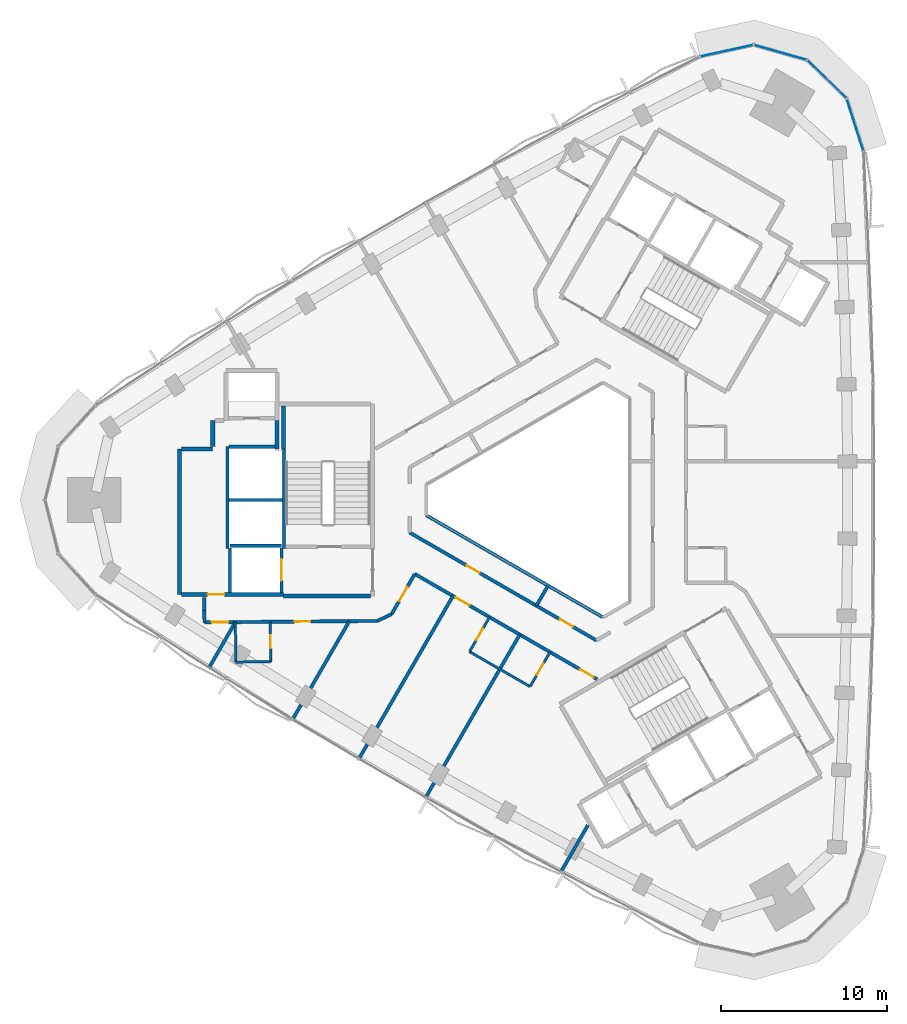
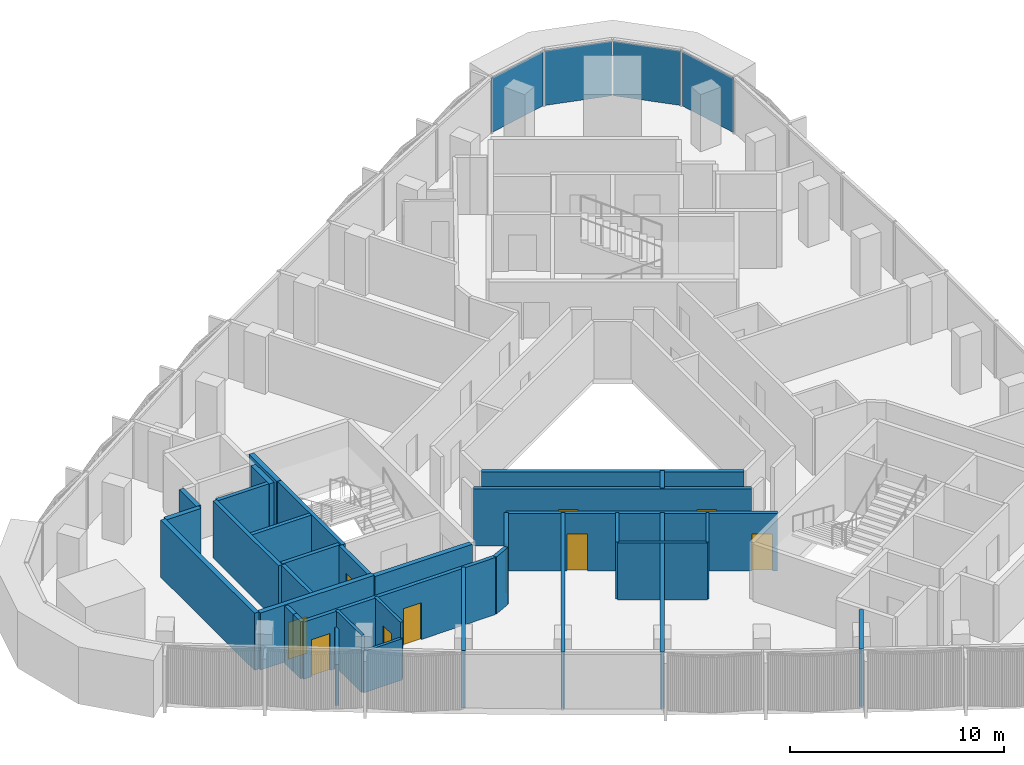
# One storey, part 7 of 13: 34 walls, 12 doors, 4 plates, 12 openings, 1 element without a shape of its own.
"""IFC4 building model written with IfcOpenShell, lengths in metres."""

from ifc_helpers import new_model, si_unit, direction, frame, frame_2d, origin, origin_2d, place, context, subcontext, project, spatial, rectangle, extrude, material, layer, layer_set, type_object, element, fill, aggregate, save


model = new_model("IFC4")

# Units and contexts
model_context = context("Model", 3, precision=1e-05, world=origin(), true_north=direction((0.0, 1.0)))
body_context = subcontext(model_context, "Body", "Model", "MODEL_VIEW")
ifc_project = project(units=[si_unit("LENGTHUNIT", "METRE"), si_unit("AREAUNIT", "SQUARE_METRE"), si_unit("VOLUMEUNIT", "CUBIC_METRE"), si_unit("PLANEANGLEUNIT", "RADIAN"), si_unit("MASSUNIT", "GRAM", prefix="KILO")], contexts=[model_context])

# Site, building, storey
site_placement = place(None, origin())
site = spatial("IfcSite", under=ifc_project, at=site_placement, CompositionType="ELEMENT")
building_placement = place(site_placement, origin())
building = spatial("IfcBuilding", under=site, at=building_placement, Name="Tamra Quay Hotel Tower", CompositionType="ELEMENT")
storey_placement = place(building_placement, frame((0.0, 0.0, 182.800048828125)))
storey = spatial("IfcBuildingStorey", under=building, at=storey_placement, Name="L45", CompositionType="ELEMENT", Elevation=182.800048828125)

# Curtain wall, plates
ifc_material_1 = material(Name="Aluminium 6063 anodised dark grey", Category="aluminium")
curtain_wall_type = type_object("IfcCurtainWallType", Name="CW1 CURTAIN WALL", PredefinedType="NOTDEFINED", material=ifc_material_1)
curtain_wall_placement = place(storey_placement, origin())
curtain_wall = element("IfcCurtainWall", 1, at=curtain_wall_placement, inside=storey, type_object=curtain_wall_type, Name="CW1 east face L45", PredefinedType="NOTDEFINED")
ifc_material_2 = material(Name="Glass clear laminated low-iron", Category="glass")
ifc_layer_1 = layer(ifc_material_2, 0.030029296875)
ifc_layer_set_1 = layer_set([ifc_layer_1], Name="GLASS PANEL CW1 Z4")
plate_type = type_object("IfcPlateType", Name="GLASS PANEL CW1 Z4", PredefinedType="CURTAIN_PANEL", material=ifc_layer_set_1)
plate_1_placement = place(storey_placement, frame((18.16064453125, 22.54052734375, 0.0), z_axis=(0.0, 0.0, 1.0), x_axis=(-0.303410479682, 0.952859948166, 0.0)))
plate_1 = element("IfcPlate", 2, at=plate_1_placement, type_object=plate_type, Name="CW1 glass L45.E.10", PredefinedType="CURTAIN_PANEL", context=body_context, shape_type="SweptSolid", body=[
    extrude(rectangle(XDim=3.227783203125, YDim=0.030029296875, at=origin_2d()), origin(), (0.0, 0.0, 1.0), 3.110107421875),
])
plate_2_placement = place(storey_placement, frame((16.461181640625, 25.2841796875, 0.0), z_axis=(0.0, 0.0, 1.0), x_axis=(-0.717974699393, 0.696069199888, 0.0)))
plate_2 = element("IfcPlate", 3, at=plate_2_placement, type_object=plate_type, Name="CW1 glass L45.E.11", PredefinedType="CURTAIN_PANEL", context=body_context, shape_type="SweptSolid", body=[
    extrude(rectangle(XDim=3.227783203125, YDim=0.030029296875, at=origin_2d()), origin(), (0.0, 0.0, 1.0), 3.110107421875),
])
plate_3_placement = place(storey_placement, frame((13.666259765625, 26.897705078125, 0.0), z_axis=(0.0, 0.0, 1.0), x_axis=(-0.961800959591, 0.273749729005, 0.0)))
plate_3 = element("IfcPlate", 4, at=plate_3_placement, type_object=plate_type, Name="CW1 glass L45.E.12", PredefinedType="CURTAIN_PANEL", context=body_context, shape_type="SweptSolid", body=[
    extrude(rectangle(XDim=3.227783203125, YDim=0.030029296875, at=origin_2d()), origin(), (0.0, 0.0, 1.0), 3.110107421875),
])
plate_4_placement = place(storey_placement, frame((10.4404296875, 26.997802734375, 0.0), z_axis=(0.0, 0.0, 1.0), x_axis=(-0.976906161202, -0.213668790904, 0.0)))
plate_4 = element("IfcPlate", 5, at=plate_4_placement, type_object=plate_type, Name="CW1 glass L45.E.13", PredefinedType="CURTAIN_PANEL", context=body_context, shape_type="SweptSolid", body=[
    extrude(rectangle(XDim=3.227783203125, YDim=0.030029296875, at=origin_2d()), origin(), (0.0, 0.0, 1.0), 3.110107421875),
])
aggregate(curtain_wall, [plate_1, plate_2, plate_3, plate_4])

# Walls
ifc_material_3 = material(Name="Concrete M70", Category="concrete")
ifc_layer_2 = layer(ifc_material_3, 0.199951171875)
ifc_layer_set_2 = layer_set([ifc_layer_2], Name="Concrete M70 core wall 200")
wall_type_1 = type_object("IfcWallType", Name="Concrete M70 core wall 200", PredefinedType="SHEAR", material=ifc_layer_set_2)
wall_1_placement = place(storey_placement, frame((-16.162109375, 3.073974609375, 0.0), z_axis=(0.0, 0.0, 1.0), x_axis=(0.0, -1.0, 0.0)))
element("IfcWall", 6, at=wall_1_placement, inside=storey, type_object=wall_type_1, Name="CW2", PredefinedType="SHEAR", context=body_context, shape_type="SweptSolid", body=[
    extrude(rectangle(XDim=5.97412109375, YDim=0.199951171875, at=frame_2d((2.987060546875, 0.0))), origin(), (0.0, 0.0, 1.0), 3.25),
])
wall_2_placement = place(storey_placement, frame((-19.5625, -2.900146484375, 0.0), z_axis=(0.0, 0.0, 1.0), x_axis=(0.0, 1.0, 0.0)))
element("IfcWall", 7, at=wall_2_placement, inside=storey, type_object=wall_type_1, Name="CW2", PredefinedType="SHEAR", context=body_context, shape_type="SweptSolid", body=[
    extrude(rectangle(XDim=6.100341796875, YDim=0.199951171875, at=frame_2d((3.05029296875, 0.0))), origin(), (0.0, 0.0, 1.0), 3.25),
])
wall_3_placement = place(storey_placement, frame((-16.26318359375, 0.0, 0.0), z_axis=(0.0, 0.0, 1.0), x_axis=(-1.0, 0.0, 0.0)))
element("IfcWall", 8, at=wall_3_placement, inside=storey, type_object=wall_type_1, Name="CW2", PredefinedType="SHEAR", context=body_context, shape_type="SweptSolid", body=[
    extrude(rectangle(XDim=3.1982421875, YDim=0.199951171875, at=frame_2d((1.59912109375, 0.0))), origin(), (0.0, 0.0, 1.0), 3.25),
])
wall_4_placement = place(storey_placement, frame((-19.46240234375, 3.2001953125, 0.0), z_axis=(0.0, 0.0, 1.0), x_axis=(1.0, 0.0, 0.0)))
element("IfcWall", 9, at=wall_4_placement, inside=storey, type_object=wall_type_1, Name="CW2", PredefinedType="SHEAR", context=body_context, shape_type="SweptSolid", body=[
    extrude(rectangle(XDim=2.759033203125, YDim=0.199951171875, at=frame_2d((1.37939453125, 0.0))), origin(), (0.0, 0.0, 1.0), 3.25),
])
wall_5_placement = place(storey_placement, frame((-19.412353515625, -2.75, 0.0), z_axis=(0.0, 0.0, 1.0), x_axis=(1.0, 0.0, 0.0)))
element("IfcWall", 10, at=wall_5_placement, inside=storey, type_object=wall_type_1, Name="CW2", PredefinedType="SHEAR", context=body_context, shape_type="SweptSolid", body=[
    extrude(rectangle(XDim=3.10009765625, YDim=0.199951171875, at=frame_2d((1.550048828125, 0.0))), origin(), (0.0, 0.0, 1.0), 3.25),
])

# Wall, opening, door
wall_6_placement = place(storey_placement, frame((-16.312255859375, -2.898193359375, 0.0), z_axis=(0.0, 0.0, 1.0), x_axis=(0.0, -1.0, 0.0)))
wall_6 = element("IfcWall", 11, at=wall_6_placement, inside=storey, type_object=wall_type_1, Name="CW2", PredefinedType="SHEAR", context=body_context, shape_type="SweptSolid", body=[
    extrude(rectangle(XDim=2.65087890625, YDim=0.199951171875, at=frame_2d((1.325439453125, 0.0))), origin(), (0.0, 0.0, 1.0), 3.25),
])
opening_1_placement = place(wall_6_placement, frame((0.65185546875, 0.0, 0.0)))
opening_1 = element("IfcOpeningElement", 12, at=opening_1_placement, cuts=wall_6, Name="Opening LD", PredefinedType="OPENING", context=body_context, shape_type="SweptSolid", body=[
    extrude(rectangle(XDim=1.300048828125, YDim=2.10009765625, at=frame_2d((0.64990234375, 1.050048828125))), frame((0.0, 0.10986328125, 0.0), z_axis=(0.0, -1.0, 0.0), x_axis=(1.0, 0.0, 0.0)), (0.0, 0.0, 1.0), 0.219970703125),
])
ifc_material_4 = material(Name="Landing door LD 1300 sliding to right")
door_type_1 = type_object("IfcDoorType", Name="Landing door LD 1300 sliding to right", OperationType="NOTDEFINED", PredefinedType="DOOR", material=ifc_material_4)
door_1_placement = place(opening_1_placement, origin())
door_1 = element("IfcDoor", 13, at=door_1_placement, inside=storey, type_object=door_type_1, Name="LD", OperationType="SLIDING_TO_RIGHT", OverallHeight=2.10009765625, OverallWidth=1.300048828125, PredefinedType="DOOR", context=body_context, shape_type="SweptSolid", body=[
    extrude(rectangle(XDim=1.300048828125, YDim=2.10009765625, at=frame_2d((0.64990234375, 1.050048828125))), frame((0.0, 0.02490234375, 0.0), z_axis=(0.0, -1.0, 0.0), x_axis=(1.0, 0.0, 0.0)), (0.0, 0.0, 1.0), 0.050048828125),
])
fill(opening_1, door_1)

# Walls
wall_7_placement = place(storey_placement, frame((-19.412353515625, -5.549072265625, 0.0), z_axis=(0.0, 0.0, 1.0), x_axis=(0.0, 1.0, 0.0)))
element("IfcWall", 14, at=wall_7_placement, inside=storey, type_object=wall_type_1, Name="CW2", PredefinedType="SHEAR", context=body_context, shape_type="SweptSolid", body=[
    extrude(rectangle(XDim=2.65087890625, YDim=0.199951171875, at=frame_2d((1.325439453125, 0.0))), origin(), (0.0, 0.0, 1.0), 3.25),
])
ifc_layer_3 = layer(ifc_material_3, 0.25)
ifc_layer_set_3 = layer_set([ifc_layer_3], Name="Concrete M70 core wall 250")
wall_type_2 = type_object("IfcWallType", Name="Concrete M70 core wall 250", PredefinedType="SHEAR", material=ifc_layer_set_3)
wall_8_placement = place(storey_placement, frame((-22.437255859375, -5.675048828125, 0.0), z_axis=(0.0, 0.0, 1.0), x_axis=(0.0, 1.0, 0.0)))
element("IfcWall", 15, at=wall_8_placement, inside=storey, type_object=wall_type_2, Name="CW1", PredefinedType="SHEAR", context=body_context, shape_type="SweptSolid", body=[
    extrude(rectangle(XDim=8.75, YDim=0.25, at=frame_2d((4.375, 0.0))), origin(), (0.0, 0.0, 1.0), 3.25),
])

# Wall, opening, door
wall_9_placement = place(storey_placement, frame((-16.187255859375, -5.675048828125, 0.0), z_axis=(0.0, 0.0, 1.0), x_axis=(-1.0, 0.0, 0.0)))
wall_9 = element("IfcWall", 16, at=wall_9_placement, inside=storey, type_object=wall_type_2, Name="CW1", PredefinedType="SHEAR", context=body_context, shape_type="SweptSolid", body=[
    extrude(rectangle(XDim=6.12451171875, YDim=0.25, at=frame_2d((3.062255859375, 0.0))), origin(), (0.0, 0.0, 1.0), 3.25),
])
opening_2_placement = place(wall_9_placement, frame((3.562744140625, 0.0, 0.0)))
opening_2 = element("IfcOpeningElement", 17, at=opening_2_placement, cuts=wall_9, Name="Opening FD3", PredefinedType="OPENING", context=body_context, shape_type="SweptSolid", body=[
    extrude(rectangle(XDim=1.0, YDim=2.10009765625, at=frame_2d((0.5, 1.050048828125))), frame((0.0, 0.135009765625, 0.0), z_axis=(0.0, -1.0, 0.0), x_axis=(1.0, 0.0, 0.0)), (0.0, 0.0, 1.0), 0.27001953125),
])
ifc_material_5 = material(Name="Core door FD3 1000x2100 LH")
door_type_2 = type_object("IfcDoorType", Name="Core door FD3 1000x2100 LH", OperationType="NOTDEFINED", PredefinedType="DOOR", material=ifc_material_5)
door_2_placement = place(opening_2_placement, origin())
door_2 = element("IfcDoor", 18, at=door_2_placement, inside=storey, type_object=door_type_2, Name="FD3", OperationType="SINGLE_SWING_LEFT", OverallHeight=2.10009765625, OverallWidth=1.0, PredefinedType="DOOR", context=body_context, shape_type="SweptSolid", body=[
    extrude(rectangle(XDim=1.0, YDim=2.10009765625, at=frame_2d((0.5, 1.050048828125))), frame((0.0, 0.02490234375, 0.0), z_axis=(0.0, -1.0, 0.0), x_axis=(1.0, 0.0, 0.0)), (0.0, 0.0, 1.0), 0.050048828125),
])
fill(opening_2, door_2)

# Walls
wall_10_placement = place(storey_placement, frame((-10.962646484375, -5.77490234375, 0.0), z_axis=(0.0, 0.0, 1.0), x_axis=(-1.0, 0.0, 0.0)))
element("IfcWall", 19, at=wall_10_placement, inside=storey, type_object=wall_type_2, Name="CW1", PredefinedType="SHEAR", context=body_context, shape_type="SweptSolid", body=[
    extrude(rectangle(XDim=5.224609375, YDim=0.25, at=frame_2d((2.6123046875, 0.0))), origin(), (0.0, 0.0, 1.0), 3.25),
])
wall_11_placement = place(storey_placement, frame((-16.187255859375, 3.074951171875, 0.0), z_axis=(0.0, 0.0, 1.0), x_axis=(0.0, 1.0, 0.0)))
element("IfcWall", 20, at=wall_11_placement, inside=storey, type_object=wall_type_2, Name="CW1", PredefinedType="SHEAR", context=body_context, shape_type="SweptSolid", body=[
    extrude(rectangle(XDim=2.57470703125, YDim=0.25, at=frame_2d((1.287353515625, 0.0))), origin(), (0.0, 0.0, 1.0), 3.25),
])
wall_12_placement = place(storey_placement, frame((-22.311767578125, 3.074951171875, 0.0), z_axis=(0.0, 0.0, 1.0), x_axis=(1.0, 0.0, 0.0)))
element("IfcWall", 21, at=wall_12_placement, inside=storey, type_object=wall_type_2, Name="CW1", PredefinedType="SHEAR", context=body_context, shape_type="SweptSolid", body=[
    extrude(rectangle(XDim=1.864501953125, YDim=0.25, at=frame_2d((0.93212890625, 0.0))), origin(), (0.0, 0.0, 1.0), 3.25),
])
wall_13_placement = place(storey_placement, frame((-16.577392578125, 4.784912109375, 0.0), z_axis=(0.0, 0.0, 1.0), x_axis=(0.0, -1.0, 0.0)))
element("IfcWall", 22, at=wall_13_placement, inside=storey, type_object=wall_type_2, Name="CW1", PredefinedType="SHEAR", context=body_context, shape_type="SweptSolid", body=[
    extrude(rectangle(XDim=1.7099609375, YDim=0.25, at=frame_2d((0.85498046875, 0.0))), origin(), (0.0, 0.0, 1.0), 3.25),
])
wall_14_placement = place(storey_placement, frame((-20.447265625, 3.200439453125, 0.0), z_axis=(0.0, 0.0, 1.0), x_axis=(0.0, 1.0, 0.0)))
element("IfcWall", 23, at=wall_14_placement, inside=storey, type_object=wall_type_2, Name="CW1", PredefinedType="SHEAR", context=body_context, shape_type="SweptSolid", body=[
    extrude(rectangle(XDim=1.58447265625, YDim=0.25, at=frame_2d((0.792236328125, 0.0))), origin(), (0.0, 0.0, 1.0), 3.25),
])
ifc_material_6 = material(Name="Partition corridor wall")
ifc_layer_4 = layer(ifc_material_6, 0.199951171875)
ifc_layer_set_4 = layer_set([ifc_layer_4], Name="Partition corridor wall")
wall_type_3 = type_object("IfcWallType", Name="Partition corridor wall", PredefinedType="PARTITIONING", material=ifc_layer_set_4)
wall_15_placement = place(storey_placement, frame((-20.949951171875, -6.64990234375, 0.0), z_axis=(0.0, 0.0, 1.0), x_axis=(0.0, 1.0, 0.0)))
element("IfcWall", 24, at=wall_15_placement, inside=storey, type_object=wall_type_3, Name="W-C", PredefinedType="PARTITIONING", context=body_context, shape_type="SweptSolid", body=[
    extrude(rectangle(XDim=0.789794921875, YDim=0.199951171875, at=frame_2d((0.39501953125, 0.0))), origin(), (0.0, 0.0, 1.0), 3.25),
])
wall_16_placement = place(storey_placement, frame((-20.947021484375, -6.653076171875, 0.0), z_axis=(0.0, 0.0, 1.0), x_axis=(0.004173876686, -0.999991289339, 0.0)))
element("IfcWall", 25, at=wall_16_placement, inside=storey, type_object=wall_type_3, Name="W-C", PredefinedType="PARTITIONING", context=body_context, shape_type="SweptSolid", body=[
    extrude(rectangle(XDim=0.701904296875, YDim=0.199951171875, at=frame_2d((0.35107421875, 0.0))), origin(), (0.0, 0.0, 1.0), 3.25),
])

# Wall, openings, doors
wall_17_placement = place(storey_placement, frame((-20.944091796875, -7.35595703125, 0.0), z_axis=(0.0, 0.0, 1.0), x_axis=(0.999963632327, 0.008528424382, 0.0)))
wall_17 = element("IfcWall", 26, at=wall_17_placement, inside=storey, type_object=wall_type_3, Name="W-C", PredefinedType="PARTITIONING", context=body_context, shape_type="SweptSolid", body=[
    extrude(rectangle(XDim=10.3916015625, YDim=0.199951171875, at=frame_2d((5.19580078125, 0.0))), origin(), (0.0, 0.0, 1.0), 3.25),
])
opening_3_placement = place(wall_17_placement, frame((0.4365234375, 0.0, 0.0)))
opening_3 = element("IfcOpeningElement", 27, at=opening_3_placement, cuts=wall_17, Name="Opening L45-D006", PredefinedType="OPENING", context=body_context, shape_type="SweptSolid", body=[
    extrude(rectangle(XDim=1.0, YDim=2.10009765625, at=frame_2d((0.5, 1.050048828125))), frame((0.0, 0.10986328125, 0.0), z_axis=(0.0, -1.0, 0.0), x_axis=(1.0, 0.0, 0.0)), (0.0, 0.0, 1.0), 0.219970703125),
])
opening_4_placement = place(wall_17_placement, frame((5.419189453125, 0.0, 0.0)))
opening_4 = element("IfcOpeningElement", 28, at=opening_4_placement, cuts=wall_17, Name="Opening L45-D007", PredefinedType="OPENING", context=body_context, shape_type="SweptSolid", body=[
    extrude(rectangle(XDim=0.949951171875, YDim=2.10009765625, at=frame_2d((0.47509765625, 1.050048828125))), frame((0.0, 0.10986328125, 0.0), z_axis=(0.0, -1.0, 0.0), x_axis=(1.0, 0.0, 0.0)), (0.0, 0.0, 1.0), 0.219970703125),
])
ifc_material_7 = material(Name="Door guest room 1000x2100")
door_type_3 = type_object("IfcDoorType", Name="Door guest room 1000x2100", OperationType="NOTDEFINED", PredefinedType="DOOR", material=ifc_material_7)
door_3_placement = place(opening_3_placement, origin())
door_3 = element("IfcDoor", 29, at=door_3_placement, inside=storey, type_object=door_type_3, Name="L45-D006", OperationType="SINGLE_SWING_LEFT", OverallHeight=2.10009765625, OverallWidth=1.0, PredefinedType="DOOR", context=body_context, shape_type="SweptSolid", body=[
    extrude(rectangle(XDim=1.0, YDim=2.10009765625, at=frame_2d((0.5, 1.050048828125))), frame((0.0, 0.02490234375, 0.0), z_axis=(0.0, -1.0, 0.0), x_axis=(1.0, 0.0, 0.0)), (0.0, 0.0, 1.0), 0.050048828125),
])
fill(opening_3, door_3)
ifc_material_8 = material(Name="Door guest room 950x2100")
door_type_4 = type_object("IfcDoorType", Name="Door guest room 950x2100", OperationType="NOTDEFINED", PredefinedType="DOOR", material=ifc_material_8)
door_4_placement = place(opening_4_placement, frame((0.949951171875, 0.0, 0.0), z_axis=(0.0, 0.0, 1.0), x_axis=(-1.0, 0.0, 0.0)))
door_4 = element("IfcDoor", 30, at=door_4_placement, inside=storey, type_object=door_type_4, Name="L45-D007", OperationType="SINGLE_SWING_LEFT", OverallHeight=2.10009765625, OverallWidth=0.949951171875, PredefinedType="DOOR", context=body_context, shape_type="SweptSolid", body=[
    extrude(rectangle(XDim=0.949951171875, YDim=2.10009765625, at=frame_2d((0.47509765625, 1.050048828125))), frame((0.0, 0.02490234375, 0.0), z_axis=(0.0, -1.0, 0.0), x_axis=(1.0, 0.0, 0.0)), (0.0, 0.0, 1.0), 0.050048828125),
])
fill(opening_4, door_4)

# Wall
wall_18_placement = place(storey_placement, frame((-10.552001953125, -7.26806640625, 0.0), z_axis=(0.0, 0.0, 1.0), x_axis=(0.904331815333, 0.426830139255, 0.0)))
element("IfcWall", 31, at=wall_18_placement, inside=storey, type_object=wall_type_3, Name="W-C", PredefinedType="PARTITIONING", context=body_context, shape_type="SweptSolid", body=[
    extrude(rectangle(XDim=0.9443359375, YDim=0.199951171875, at=frame_2d((0.47216796875, 0.0))), origin(), (0.0, 0.0, 1.0), 3.25),
])

# Wall, opening, door
wall_19_placement = place(storey_placement, frame((-9.697021484375, -6.864013671875, 0.0), z_axis=(0.0, 0.0, 1.0), x_axis=(0.499843530644, 0.866115722564, 0.0)))
wall_19 = element("IfcWall", 32, at=wall_19_placement, inside=storey, type_object=wall_type_3, Name="W-C", PredefinedType="PARTITIONING", context=body_context, shape_type="SweptSolid", body=[
    extrude(rectangle(XDim=2.79296875, YDim=0.199951171875, at=frame_2d((1.396484375, 0.0))), origin(), (0.0, 0.0, 1.0), 3.25),
])
opening_5_placement = place(wall_19_placement, frame((0.896484375, 0.0, 0.0)))
opening_5 = element("IfcOpeningElement", 33, at=opening_5_placement, cuts=wall_19, Name="Opening L45-D009", PredefinedType="OPENING", context=body_context, shape_type="SweptSolid", body=[
    extrude(rectangle(XDim=1.0, YDim=2.10009765625, at=frame_2d((0.5, 1.050048828125))), frame((0.0, 0.10986328125, 0.0), z_axis=(0.0, -1.0, 0.0), x_axis=(1.0, 0.0, 0.0)), (0.0, 0.0, 1.0), 0.219970703125),
])
door_5_placement = place(opening_5_placement, frame((1.0, 0.0, 0.0), z_axis=(0.0, 0.0, 1.0), x_axis=(-1.0, 0.0, 0.0)))
door_5 = element("IfcDoor", 34, at=door_5_placement, inside=storey, type_object=door_type_3, Name="L45-D009", OperationType="SINGLE_SWING_LEFT", OverallHeight=2.10009765625, OverallWidth=1.0, PredefinedType="DOOR", context=body_context, shape_type="SweptSolid", body=[
    extrude(rectangle(XDim=1.0, YDim=2.10009765625, at=frame_2d((0.5, 1.050048828125))), frame((0.0, 0.02490234375, 0.0), z_axis=(0.0, -1.0, 0.0), x_axis=(1.0, 0.0, 0.0)), (0.0, 0.0, 1.0), 0.050048828125),
])
fill(opening_5, door_5)

# Wall, openings, doors
wall_20_placement = place(storey_placement, frame((-8.612060546875, -1.9560546875, 0.0), z_axis=(0.0, 0.0, 1.0), x_axis=(0.866034386606, -0.499984440973, 0.0)))
wall_20 = element("IfcWall", 35, at=wall_20_placement, inside=storey, type_object=wall_type_3, Name="W-C", PredefinedType="PARTITIONING", context=body_context, shape_type="SweptSolid", body=[
    extrude(rectangle(XDim=12.96044921875, YDim=0.199951171875, at=frame_2d((6.480224609375, 0.0))), origin(), (0.0, 0.0, 1.0), 3.25),
])
opening_6_placement = place(wall_20_placement, frame((3.955078125, 0.0, 0.0)))
opening_6 = element("IfcOpeningElement", 36, at=opening_6_placement, cuts=wall_20, Name="Opening L45-D023", PredefinedType="OPENING", context=body_context, shape_type="SweptSolid", body=[
    extrude(rectangle(XDim=0.89990234375, YDim=2.10009765625, at=frame_2d((0.449951171875, 1.050048828125))), frame((0.0, 0.10986328125, 0.0), z_axis=(0.0, -1.0, 0.0), x_axis=(1.0, 0.0, 0.0)), (0.0, 0.0, 1.0), 0.219970703125),
])
opening_7_placement = place(wall_20_placement, frame((10.423828125, 0.0, 0.0)))
opening_7 = element("IfcOpeningElement", 37, at=opening_7_placement, cuts=wall_20, Name="Opening L45-D024", PredefinedType="OPENING", context=body_context, shape_type="SweptSolid", body=[
    extrude(rectangle(XDim=0.89990234375, YDim=2.10009765625, at=frame_2d((0.449951171875, 1.050048828125))), frame((0.0, 0.10986328125, 0.0), z_axis=(0.0, -1.0, 0.0), x_axis=(1.0, 0.0, 0.0)), (0.0, 0.0, 1.0), 0.219970703125),
])
ifc_material_9 = material(Name="Door service room 900x2100")
door_type_5 = type_object("IfcDoorType", Name="Door service room 900x2100", OperationType="NOTDEFINED", PredefinedType="DOOR", material=ifc_material_9)
door_6_placement = place(opening_6_placement, origin())
door_6 = element("IfcDoor", 38, at=door_6_placement, inside=storey, type_object=door_type_5, Name="L45-D023", OperationType="SINGLE_SWING_LEFT", OverallHeight=2.10009765625, OverallWidth=0.89990234375, PredefinedType="DOOR", context=body_context, shape_type="SweptSolid", body=[
    extrude(rectangle(XDim=0.89990234375, YDim=2.10009765625, at=frame_2d((0.449951171875, 1.050048828125))), frame((0.0, 0.02490234375, 0.0), z_axis=(0.0, -1.0, 0.0), x_axis=(1.0, 0.0, 0.0)), (0.0, 0.0, 1.0), 0.050048828125),
])
fill(opening_6, door_6)
door_7_placement = place(opening_7_placement, origin())
door_7 = element("IfcDoor", 39, at=door_7_placement, inside=storey, type_object=door_type_5, Name="L45-D024", OperationType="SINGLE_SWING_LEFT", OverallHeight=2.10009765625, OverallWidth=0.89990234375, PredefinedType="DOOR", context=body_context, shape_type="SweptSolid", body=[
    extrude(rectangle(XDim=0.89990234375, YDim=2.10009765625, at=frame_2d((0.449951171875, 1.050048828125))), frame((0.0, 0.02490234375, 0.0), z_axis=(0.0, -1.0, 0.0), x_axis=(1.0, 0.0, 0.0)), (0.0, 0.0, 1.0), 0.050048828125),
])
fill(opening_7, door_7)

wall_21_placement = place(storey_placement, frame((-8.301025390625, -4.445068359375, 0.0), z_axis=(0.0, 0.0, 1.0), x_axis=(0.865969859016, -0.500096194023, 0.0)))
wall_21 = element("IfcWall", 40, at=wall_21_placement, inside=storey, type_object=wall_type_3, Name="W-C", PredefinedType="PARTITIONING", context=body_context, shape_type="SweptSolid", body=[
    extrude(rectangle(XDim=12.64697265625, YDim=0.199951171875, at=frame_2d((6.323486328125, 0.0))), origin(), (0.0, 0.0, 1.0), 3.25),
])
opening_8_placement = place(wall_21_placement, frame((2.836181640625, 0.0, 0.0)))
opening_8 = element("IfcOpeningElement", 41, at=opening_8_placement, cuts=wall_21, Name="Opening L45-D010", PredefinedType="OPENING", context=body_context, shape_type="SweptSolid", body=[
    extrude(rectangle(XDim=0.949951171875, YDim=2.10009765625, at=frame_2d((0.47509765625, 1.050048828125))), frame((0.0, 0.10986328125, 0.0), z_axis=(0.0, -1.0, 0.0), x_axis=(1.0, 0.0, 0.0)), (0.0, 0.0, 1.0), 0.219970703125),
])
opening_9_placement = place(wall_21_placement, frame((11.466796875, 0.0, 0.0)))
opening_9 = element("IfcOpeningElement", 42, at=opening_9_placement, cuts=wall_21, Name="Opening L45-D012", PredefinedType="OPENING", context=body_context, shape_type="SweptSolid", body=[
    extrude(rectangle(XDim=0.949951171875, YDim=2.10009765625, at=frame_2d((0.47509765625, 1.050048828125))), frame((0.0, 0.10986328125, 0.0), z_axis=(0.0, -1.0, 0.0), x_axis=(1.0, 0.0, 0.0)), (0.0, 0.0, 1.0), 0.219970703125),
])
door_8_placement = place(opening_8_placement, frame((0.949951171875, 0.0, 0.0), z_axis=(0.0, 0.0, 1.0), x_axis=(-1.0, 0.0, 0.0)))
door_8 = element("IfcDoor", 43, at=door_8_placement, inside=storey, type_object=door_type_4, Name="L45-D010", OperationType="SINGLE_SWING_LEFT", OverallHeight=2.10009765625, OverallWidth=0.949951171875, PredefinedType="DOOR", context=body_context, shape_type="SweptSolid", body=[
    extrude(rectangle(XDim=0.949951171875, YDim=2.10009765625, at=frame_2d((0.47509765625, 1.050048828125))), frame((0.0, 0.02490234375, 0.0), z_axis=(0.0, -1.0, 0.0), x_axis=(1.0, 0.0, 0.0)), (0.0, 0.0, 1.0), 0.050048828125),
])
fill(opening_8, door_8)
door_9_placement = place(opening_9_placement, frame((0.949951171875, 0.0, 0.0), z_axis=(0.0, 0.0, 1.0), x_axis=(-1.0, 0.0, 0.0)))
door_9 = element("IfcDoor", 44, at=door_9_placement, inside=storey, type_object=door_type_4, Name="L45-D012", OperationType="SINGLE_SWING_LEFT", OverallHeight=2.10009765625, OverallWidth=0.949951171875, PredefinedType="DOOR", context=body_context, shape_type="SweptSolid", body=[
    extrude(rectangle(XDim=0.949951171875, YDim=2.10009765625, at=frame_2d((0.47509765625, 1.050048828125))), frame((0.0, 0.02490234375, 0.0), z_axis=(0.0, -1.0, 0.0), x_axis=(1.0, 0.0, 0.0)), (0.0, 0.0, 1.0), 0.050048828125),
])
fill(opening_9, door_9)

# Walls
ifc_material_10 = material(Name="Partition en-suite wall")
ifc_layer_5 = layer(ifc_material_10, 0.14990234375)
ifc_layer_set_5 = layer_set([ifc_layer_5], Name="Partition en-suite wall")
wall_type_4 = type_object("IfcWallType", Name="Partition en-suite wall", PredefinedType="PARTITIONING", material=ifc_layer_set_5)
wall_22_placement = place(storey_placement, frame((-19.0830078125, -7.340087890625, 0.0), z_axis=(0.0, 0.0, 1.0), x_axis=(0.008341520563, -0.999965208912, 0.0)))
element("IfcWall", 45, at=wall_22_placement, inside=storey, type_object=wall_type_4, Name="W-E", PredefinedType="PARTITIONING", context=body_context, shape_type="SweptSolid", body=[
    extrude(rectangle(XDim=2.39990234375, YDim=0.14990234375, at=frame_2d((1.199951171875, 0.0))), origin(), (0.0, 0.0, 1.0), 3.25),
])
wall_23_placement = place(storey_placement, frame((-19.06298828125, -9.739990234375, 0.0), z_axis=(0.0, 0.0, 1.0), x_axis=(0.999962999255, 0.008602332242, 0.0)))
element("IfcWall", 46, at=wall_23_placement, inside=storey, type_object=wall_type_4, Name="W-E", PredefinedType="PARTITIONING", context=body_context, shape_type="SweptSolid", body=[
    extrude(rectangle(XDim=2.10009765625, YDim=0.14990234375, at=frame_2d((1.050048828125, 0.0))), origin(), (0.0, 0.0, 1.0), 2.349853515625),
])

# Wall, opening, door
wall_24_placement = place(storey_placement, frame((-16.98291015625, -7.322998046875, 0.0), z_axis=(0.0, 0.0, 1.0), x_axis=(0.00834491602, -0.999965180582, 0.0)))
wall_24 = element("IfcWall", 47, at=wall_24_placement, inside=storey, type_object=wall_type_4, Name="W-E", PredefinedType="PARTITIONING", context=body_context, shape_type="SweptSolid", body=[
    extrude(rectangle(XDim=2.39892578125, YDim=0.14990234375, at=frame_2d((1.199462890625, 0.0))), origin(), (0.0, 0.0, 1.0), 3.25),
])
opening_10_placement = place(wall_24_placement, frame((0.799560546875, 0.0, 0.0)))
opening_10 = element("IfcOpeningElement", 48, at=opening_10_placement, cuts=wall_24, Name="Opening L45-D008", PredefinedType="OPENING", context=body_context, shape_type="SweptSolid", body=[
    extrude(rectangle(XDim=0.800048828125, YDim=2.10009765625, at=frame_2d((0.39990234375, 1.050048828125))), frame((0.0, 0.0849609375, 0.0), z_axis=(0.0, -1.0, 0.0), x_axis=(1.0, 0.0, 0.0)), (0.0, 0.0, 1.0), 0.169921875),
])
ifc_material_11 = material(Name="Door en-suite 800x2100")
door_type_6 = type_object("IfcDoorType", Name="Door en-suite 800x2100", OperationType="NOTDEFINED", PredefinedType="DOOR", material=ifc_material_11)
door_10_placement = place(opening_10_placement, frame((0.800048828125, 0.0, 0.0), z_axis=(0.0, 0.0, 1.0), x_axis=(-1.0, 0.0, 0.0)))
door_10 = element("IfcDoor", 49, at=door_10_placement, inside=storey, type_object=door_type_6, Name="L45-D008", OperationType="SINGLE_SWING_LEFT", OverallHeight=2.10009765625, OverallWidth=0.800048828125, PredefinedType="DOOR", context=body_context, shape_type="SweptSolid", body=[
    extrude(rectangle(XDim=0.800048828125, YDim=2.10009765625, at=frame_2d((0.39990234375, 1.050048828125))), frame((0.0, 0.02490234375, 0.0), z_axis=(0.0, -1.0, 0.0), x_axis=(1.0, 0.0, 0.0)), (0.0, 0.0, 1.0), 0.050048828125),
])
fill(opening_10, door_10)

wall_25_placement = place(storey_placement, frame((-5.010986328125, -9.115966796875, 0.0), z_axis=(0.0, 0.0, 1.0), x_axis=(0.500089422704, 0.865973769406, 0.0)))
wall_25 = element("IfcWall", 50, at=wall_25_placement, inside=storey, type_object=wall_type_4, Name="W-E", PredefinedType="PARTITIONING", context=body_context, shape_type="SweptSolid", body=[
    extrude(rectangle(XDim=2.3994140625, YDim=0.14990234375, at=frame_2d((1.19970703125, 0.0))), origin(), (0.0, 0.0, 1.0), 3.25),
])
opening_11_placement = place(wall_25_placement, frame((0.7998046875, 0.0, 0.0)))
opening_11 = element("IfcOpeningElement", 51, at=opening_11_placement, cuts=wall_25, Name="Opening L45-D011", PredefinedType="OPENING", context=body_context, shape_type="SweptSolid", body=[
    extrude(rectangle(XDim=0.800048828125, YDim=2.10009765625, at=frame_2d((0.39990234375, 1.050048828125))), frame((0.0, 0.0849609375, 0.0), z_axis=(0.0, -1.0, 0.0), x_axis=(1.0, 0.0, 0.0)), (0.0, 0.0, 1.0), 0.169921875),
])
door_11_placement = place(opening_11_placement, origin())
door_11 = element("IfcDoor", 52, at=door_11_placement, inside=storey, type_object=door_type_6, Name="L45-D011", OperationType="SINGLE_SWING_LEFT", OverallHeight=2.10009765625, OverallWidth=0.800048828125, PredefinedType="DOOR", context=body_context, shape_type="SweptSolid", body=[
    extrude(rectangle(XDim=0.800048828125, YDim=2.10009765625, at=frame_2d((0.39990234375, 1.050048828125))), frame((0.0, 0.02490234375, 0.0), z_axis=(0.0, -1.0, 0.0), x_axis=(1.0, 0.0, 0.0)), (0.0, 0.0, 1.0), 0.050048828125),
])
fill(opening_11, door_11)

# Wall
wall_26_placement = place(storey_placement, frame((-5.010986328125, -9.115966796875, 0.0), z_axis=(0.0, 0.0, 1.0), x_axis=(0.866052994476, -0.499952208475, 0.0)))
element("IfcWall", 53, at=wall_26_placement, inside=storey, type_object=wall_type_4, Name="W-E", PredefinedType="PARTITIONING", context=body_context, shape_type="SweptSolid", body=[
    extrude(rectangle(XDim=4.20068359375, YDim=0.14990234375, at=frame_2d((2.100341796875, 0.0))), origin(), (0.0, 0.0, 1.0), 3.25),
])

# Wall, opening, door
wall_27_placement = place(storey_placement, frame((-1.373046875, -11.216064453125, 0.0), z_axis=(0.0, 0.0, 1.0), x_axis=(0.500045362686, 0.865999212041, 0.0)))
wall_27 = element("IfcWall", 54, at=wall_27_placement, inside=storey, type_object=wall_type_4, Name="W-E", PredefinedType="PARTITIONING", context=body_context, shape_type="SweptSolid", body=[
    extrude(rectangle(XDim=2.399658203125, YDim=0.14990234375, at=frame_2d((1.19970703125, 0.0))), origin(), (0.0, 0.0, 1.0), 3.25),
])
opening_12_placement = place(wall_27_placement, frame((0.7998046875, 0.0, 0.0)))
opening_12 = element("IfcOpeningElement", 55, at=opening_12_placement, cuts=wall_27, Name="Opening L45-D013", PredefinedType="OPENING", context=body_context, shape_type="SweptSolid", body=[
    extrude(rectangle(XDim=0.800048828125, YDim=2.10009765625, at=frame_2d((0.39990234375, 1.050048828125))), frame((0.0, 0.0849609375, 0.0), z_axis=(0.0, -1.0, 0.0), x_axis=(1.0, 0.0, 0.0)), (0.0, 0.0, 1.0), 0.169921875),
])
door_12_placement = place(opening_12_placement, frame((0.800048828125, 0.0, 0.0), z_axis=(0.0, 0.0, 1.0), x_axis=(-1.0, 0.0, 0.0)))
door_12 = element("IfcDoor", 56, at=door_12_placement, inside=storey, type_object=door_type_6, Name="L45-D013", OperationType="SINGLE_SWING_LEFT", OverallHeight=2.10009765625, OverallWidth=0.800048828125, PredefinedType="DOOR", context=body_context, shape_type="SweptSolid", body=[
    extrude(rectangle(XDim=0.800048828125, YDim=2.10009765625, at=frame_2d((0.39990234375, 1.050048828125))), frame((0.0, 0.02490234375, 0.0), z_axis=(0.0, -1.0, 0.0), x_axis=(1.0, 0.0, 0.0)), (0.0, 0.0, 1.0), 0.050048828125),
])
fill(opening_12, door_12)

# Walls
ifc_material_12 = material(Name="Partition party wall")
ifc_layer_6 = layer(ifc_material_12, 0.199951171875)
ifc_layer_set_6 = layer_set([ifc_layer_6], Name="Partition party wall")
wall_type_5 = type_object("IfcWallType", Name="Partition party wall", PredefinedType="PARTITIONING", material=ifc_layer_set_6)
wall_28_placement = place(storey_placement, frame((-20.664306640625, -10.08056640625, 0.0), z_axis=(0.0, 0.0, 1.0), x_axis=(0.499782572363, 0.866150899302, 0.0)))
element("IfcWall", 57, at=wall_28_placement, inside=storey, type_object=wall_type_5, Name="W-P", PredefinedType="PARTITIONING", context=body_context, shape_type="SweptSolid", body=[
    extrude(rectangle(XDim=3.1640625, YDim=0.199951171875, at=frame_2d((1.58203125, 0.0))), origin(), (0.0, 0.0, 1.0), 2.349853515625),
])
wall_29_placement = place(storey_placement, frame((-15.644775390625, -13.1865234375, 0.0), z_axis=(0.0, 0.0, 1.0), x_axis=(0.499921913572, 0.866070482311, 0.0)))
element("IfcWall", 58, at=wall_29_placement, inside=storey, type_object=wall_type_5, Name="W-P", PredefinedType="PARTITIONING", context=body_context, shape_type="SweptSolid", body=[
    extrude(rectangle(XDim=6.81640625, YDim=0.199951171875, at=frame_2d((3.408203125, 0.0))), origin(), (0.0, 0.0, 1.0), 3.25),
])
wall_30_placement = place(storey_placement, frame((-11.661376953125, -15.560546875, 0.0), z_axis=(0.0, 0.0, 1.0), x_axis=(0.500012795616, 0.866018016106, 0.0)))
element("IfcWall", 59, at=wall_30_placement, inside=storey, type_object=wall_type_5, Name="W-P", PredefinedType="PARTITIONING", context=body_context, shape_type="SweptSolid", body=[
    extrude(rectangle(XDim=11.306396484375, YDim=0.199951171875, at=frame_2d((5.6533203125, 0.0))), origin(), (0.0, 0.0, 1.0), 3.25),
])
wall_31_placement = place(storey_placement, frame((-7.60009765625, -0.924072265625, 0.0), z_axis=(0.0, 0.0, 1.0), x_axis=(0.866028806638, -0.499994106039, 0.0)))
element("IfcWall", 60, at=wall_31_placement, inside=storey, type_object=wall_type_5, Name="W-P", PredefinedType="PARTITIONING", context=body_context, shape_type="SweptSolid", body=[
    extrude(rectangle(XDim=12.239990234375, YDim=0.199951171875, at=frame_2d((6.1201171875, 0.0))), origin(), (0.0, 0.0, 1.0), 3.25),
])
wall_32_placement = place(storey_placement, frame((-7.6455078125, -17.87890625, 0.0), z_axis=(0.0, 0.0, 1.0), x_axis=(0.500031496802, 0.866007218334, 0.0)))
element("IfcWall", 61, at=wall_32_placement, inside=storey, type_object=wall_type_5, Name="W-P", PredefinedType="PARTITIONING", context=body_context, shape_type="SweptSolid", body=[
    extrude(rectangle(XDim=11.305908203125, YDim=0.199951171875, at=frame_2d((5.65283203125, 0.0))), origin(), (0.0, 0.0, 1.0), 3.25),
])
wall_33_placement = place(storey_placement, frame((-0.99169921875, -6.355224609375, 0.0), z_axis=(0.0, 0.0, 1.0), x_axis=(0.500059638837, 0.865990968548, 0.0)))
element("IfcWall", 62, at=wall_33_placement, inside=storey, type_object=wall_type_5, Name="W-P", PredefinedType="PARTITIONING", context=body_context, shape_type="SweptSolid", body=[
    extrude(rectangle(XDim=1.399658203125, YDim=0.199951171875, at=frame_2d((0.69970703125, 0.0))), origin(), (0.0, 0.0, 1.0), 3.25),
])
wall_34_placement = place(storey_placement, frame((0.482177734375, -22.349365234375, 0.0), z_axis=(0.0, 0.0, 1.0), x_axis=(0.500016891966, 0.866015650984, 0.0)))
element("IfcWall", 63, at=wall_34_placement, inside=storey, type_object=wall_type_5, Name="W-P", PredefinedType="PARTITIONING", context=body_context, shape_type="SweptSolid", body=[
    extrude(rectangle(XDim=3.22998046875, YDim=0.199951171875, at=frame_2d((1.614990234375, 0.0))), origin(), (0.0, 0.0, 1.0), 3.25),
])

save(model, "model.ifc")
